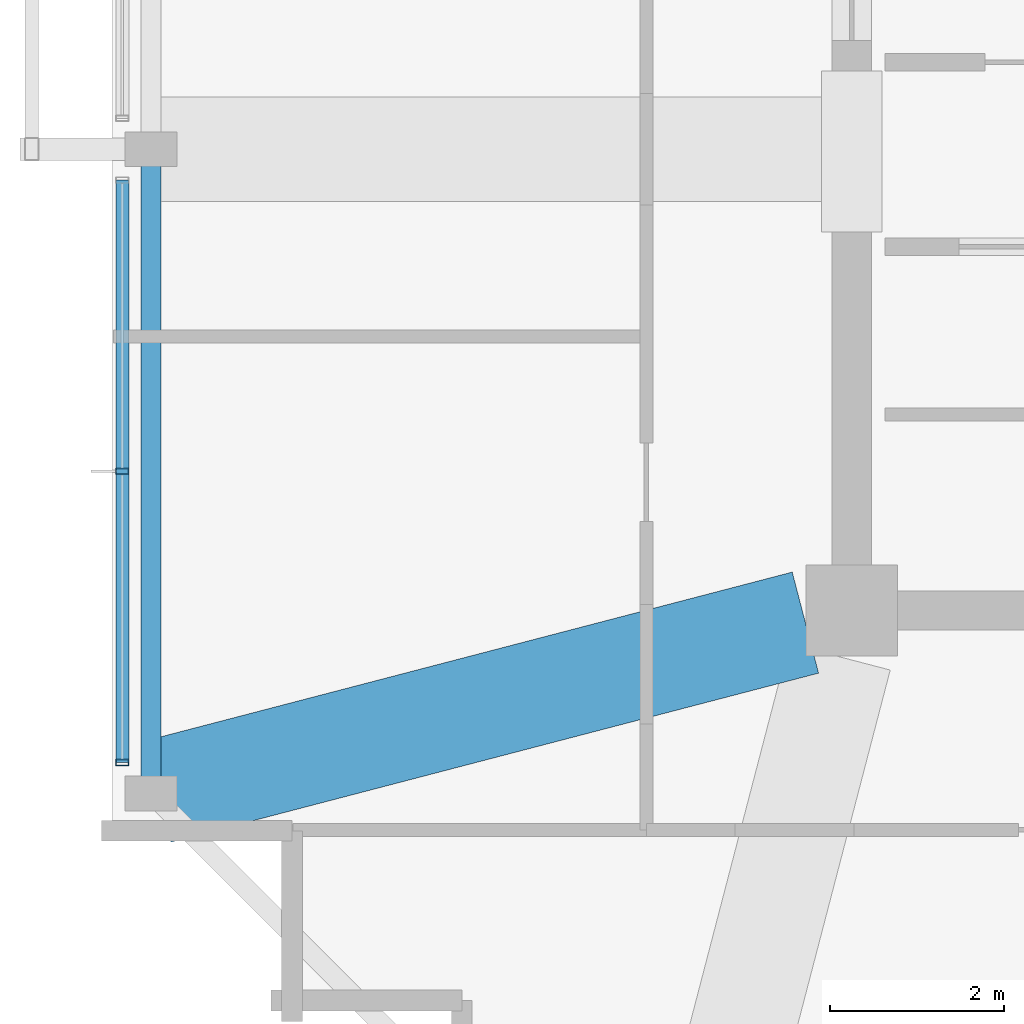
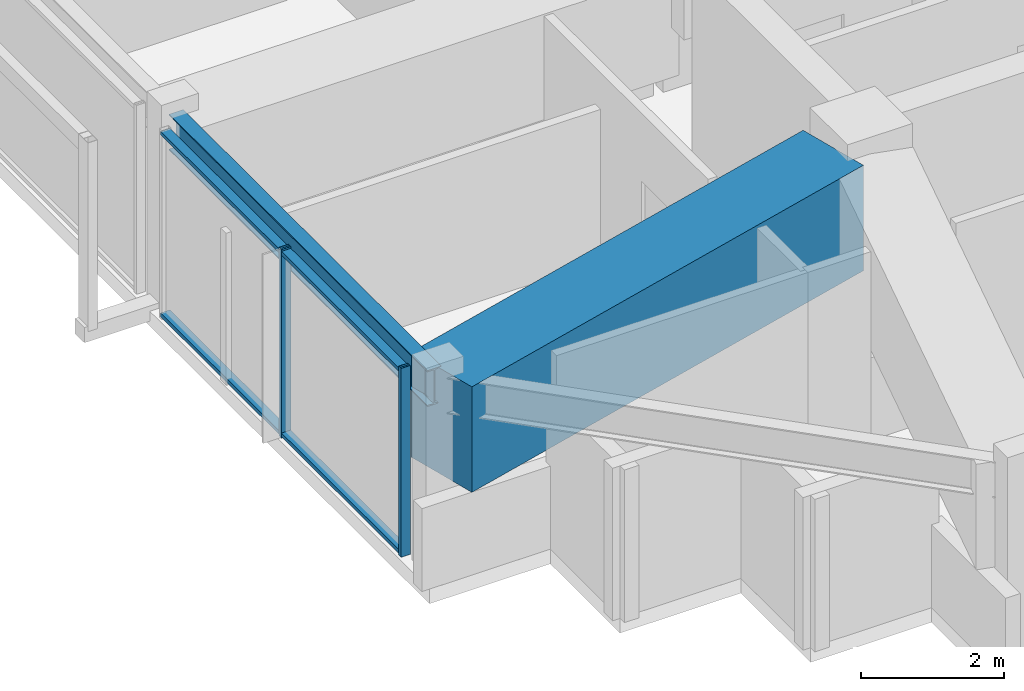
# One storey, part 4 of 30: 4 members, 2 beams, 1 element without a shape of its own.
"""IFC4 building model written with IfcOpenShell, lengths in metres."""

from ifc_helpers import new_model, si_unit, direction, frame, origin, origin_2d, place, context, subcontext, project, spatial, rectangle, hollow_rectangle, i_section, extrude, material, material_profile, profile_set, type_object, element, aggregate, save


model = new_model("IFC4")

# Units and contexts
model_context = context("Model", 3, precision=1e-05, world=origin(), true_north=direction((0.0, 1.0)))
body_context = subcontext(model_context, "Body", "Model", "MODEL_VIEW")
ifc_project = project(units=[si_unit("LENGTHUNIT", "METRE"), si_unit("AREAUNIT", "SQUARE_METRE"), si_unit("VOLUMEUNIT", "CUBIC_METRE"), si_unit("PLANEANGLEUNIT", "RADIAN"), si_unit("MASSUNIT", "GRAM", prefix="KILO")], contexts=[model_context])

# Site, building, storey
site_placement = place(None, origin())
site = spatial("IfcSite", under=ifc_project, at=site_placement, CompositionType="ELEMENT")
building_placement = place(site_placement, origin())
building = spatial("IfcBuilding", under=site, at=building_placement, Name="Kolvaren Belvedere", CompositionType="ELEMENT")
storey_placement = place(building_placement, frame((0.0, 0.0, 254.89990234375)))
storey = spatial("IfcBuildingStorey", under=building, at=storey_placement, Name="L74", CompositionType="ELEMENT", Elevation=254.89990234375)

# Beams
ifc_material_1 = material(Name="Structural steel ASTM A992 Grade 50", Category="steel")
ifc_material_profile_1 = material_profile(ifc_material_1, i_section(OverallWidth=0.22900390625, OverallDepth=0.612060546875, WebThickness=0.011962890625, FlangeThickness=0.01953125, FilletRadius=0.01806640625, at=origin_2d()), Name="W24X84")
ifc_profile_set_1 = profile_set([ifc_material_profile_1], Name="Structural steel ASTM A992 Grade 50")
beam_type_1 = type_object("IfcBeamType", Name="BM-SPAN-W24X84", PredefinedType="SPANDREL", material=ifc_profile_set_1)
beam_1_placement = place(storey_placement, frame((-17.949951171875, -4.68994140625, 2.9140625), z_axis=(0.0, -1.0, 0.0), x_axis=(1.0, 0.0, 0.0)))
element("IfcBeam", 1, at=beam_1_placement, inside=storey, type_object=beam_type_1, Name="L74 Perimeter Spandrel W2-W1", PredefinedType="SPANDREL", context=body_context, shape_type="SweptSolid", body=[
    extrude(i_section(OverallWidth=0.22900390625, OverallDepth=0.612060546875, WebThickness=0.011962890625, FlangeThickness=0.01953125, FilletRadius=0.01806640625, at=origin_2d()), origin(), (0.0, 0.0, 1.0), 7.219970703125),
])
ifc_material_2 = material(Name="Concrete C50/60", Category="concrete")
ifc_material_profile_2 = material_profile(ifc_material_2, rectangle(XDim=1.199951171875, YDim=1.800048828125, at=origin_2d()), Name="RC 1200X1800")
ifc_profile_set_2 = profile_set([ifc_material_profile_2], Name="Concrete C50/60")
beam_type_2 = type_object("IfcBeamType", Name="BM-TG-1800", PredefinedType="BEAM", material=ifc_profile_set_2)
beam_2_placement = place(storey_placement, frame((-10.43212890625, -10.038818359375, 2.320068359375), z_axis=(-0.967619295388, -0.252414142221, 0.0), x_axis=(0.252414142221, -0.967619295388, 0.0)))
element("IfcBeam", 2, at=beam_2_placement, inside=storey, type_object=beam_type_2, Name="L74 Corner Core-to-Perimeter Girder CC1-W1", PredefinedType="BEAM", context=body_context, shape_type="SweptSolid", body=[
    extrude(rectangle(XDim=1.199951171875, YDim=1.800048828125, at=origin_2d()), origin(), (0.0, 0.0, 1.0), 7.689453125),
])

# Curtain wall, members
ifc_material_3 = material(Name="Anodised pale-metal aluminium AA 6063-T6", Category="aluminium")
curtain_wall_type = type_object("IfcCurtainWallType", Name="CW-Z5-HIGH", PredefinedType="NOTDEFINED", material=ifc_material_3)
curtain_wall_placement = place(storey_placement, origin())
curtain_wall = element("IfcCurtainWall", 3, at=curtain_wall_placement, inside=storey, type_object=curtain_wall_type, Name="L74 Unitised Curtain Wall FCW-L74-W-B1", PredefinedType="NOTDEFINED")
ifc_material_4 = material(Name="Anodised pale-metal aluminium AA 6063-T6", Category="aluminium")
ifc_material_profile_3 = material_profile(ifc_material_4, hollow_rectangle(XDim=0.070068359375, YDim=0.14990234375, WallThickness=0.004150390625, at=origin_2d()), Name="ALU-MUL-150X70")
ifc_profile_set_3 = profile_set([ifc_material_profile_3], Name="Anodised pale-metal aluminium AA 6063-T6")
member_type_1 = type_object("IfcMemberType", Name="CW-MUL-150", PredefinedType="MULLION", material=ifc_profile_set_3)
member_1_placement = place(storey_placement, frame((-18.280029296875, -11.64501953125, 0.0), z_axis=(0.0, 0.0, 1.0), x_axis=(0.0, 1.0, 0.0)))
member_1 = element("IfcMember", 4, at=member_1_placement, type_object=member_type_1, Name="FCW-L74-W-B1 Unitised Mullion 1", PredefinedType="MULLION", context=body_context, shape_type="SweptSolid", body=[
    extrude(hollow_rectangle(XDim=0.070068359375, YDim=0.14990234375, WallThickness=0.004150390625, at=origin_2d()), origin(), (0.0, 0.0, 1.0), 3.22021484375),
])
member_2_placement = place(storey_placement, frame((-18.280029296875, -8.300048828125, 0.0), z_axis=(0.0, 0.0, 1.0), x_axis=(0.0, 1.0, 0.0)))
member_2 = element("IfcMember", 5, at=member_2_placement, type_object=member_type_1, Name="FCW-L74-W-B1 Unitised Mullion 2", PredefinedType="MULLION", context=body_context, shape_type="SweptSolid", body=[
    extrude(hollow_rectangle(XDim=0.070068359375, YDim=0.14990234375, WallThickness=0.004150390625, at=origin_2d()), origin(), (0.0, 0.0, 1.0), 3.22021484375),
])
ifc_material_5 = material(Name="Anodised pale-metal aluminium AA 6063-T6", Category="aluminium")
ifc_material_profile_4 = material_profile(ifc_material_5, hollow_rectangle(XDim=0.06494140625, YDim=0.14990234375, WallThickness=0.00390625, at=origin_2d()), Name="ALU-TRN-150X65")
ifc_profile_set_4 = profile_set([ifc_material_profile_4], Name="Anodised pale-metal aluminium AA 6063-T6")
member_type_2 = type_object("IfcMemberType", Name="CW-TRN-150", PredefinedType="USERDEFINED", material=ifc_profile_set_4)
member_3_placement = place(storey_placement, frame((-18.280029296875, -11.64501953125, 0.06005859375), z_axis=(0.0, 1.0, 0.0), x_axis=(0.0, 0.0, 1.0)))
member_3 = element("IfcMember", 6, at=member_3_placement, type_object=member_type_2, Name="FCW-L74-W-B1 Sill Transom", ObjectType="TRANSOM", PredefinedType="USERDEFINED", context=body_context, shape_type="SweptSolid", body=[
    extrude(hollow_rectangle(XDim=0.06494140625, YDim=0.14990234375, WallThickness=0.00390625, at=origin_2d()), origin(), (0.0, 0.0, 1.0), 6.68994140625),
])
member_4_placement = place(storey_placement, frame((-18.280029296875, -11.64501953125, 3.16015625), z_axis=(0.0, 1.0, 0.0), x_axis=(0.0, 0.0, 1.0)))
member_4 = element("IfcMember", 7, at=member_4_placement, type_object=member_type_2, Name="FCW-L74-W-B1 Head Transom", ObjectType="TRANSOM", PredefinedType="USERDEFINED", context=body_context, shape_type="SweptSolid", body=[
    extrude(hollow_rectangle(XDim=0.06494140625, YDim=0.14990234375, WallThickness=0.00390625, at=origin_2d()), origin(), (0.0, 0.0, 1.0), 6.68994140625),
])
aggregate(curtain_wall, [member_1, member_2, member_3, member_4])

save(model, "model.ifc")
